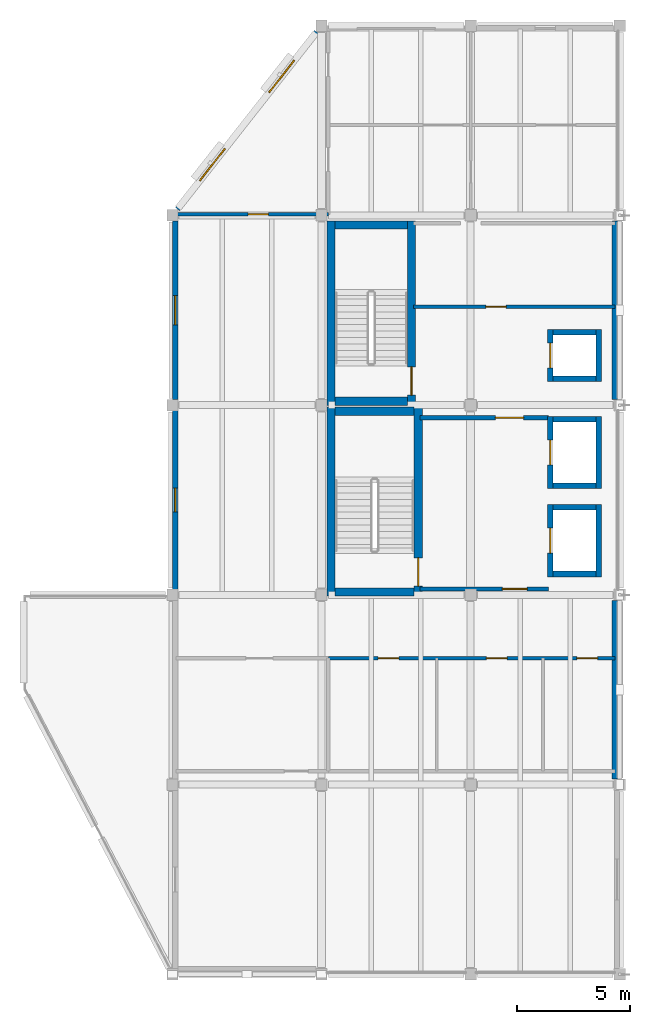
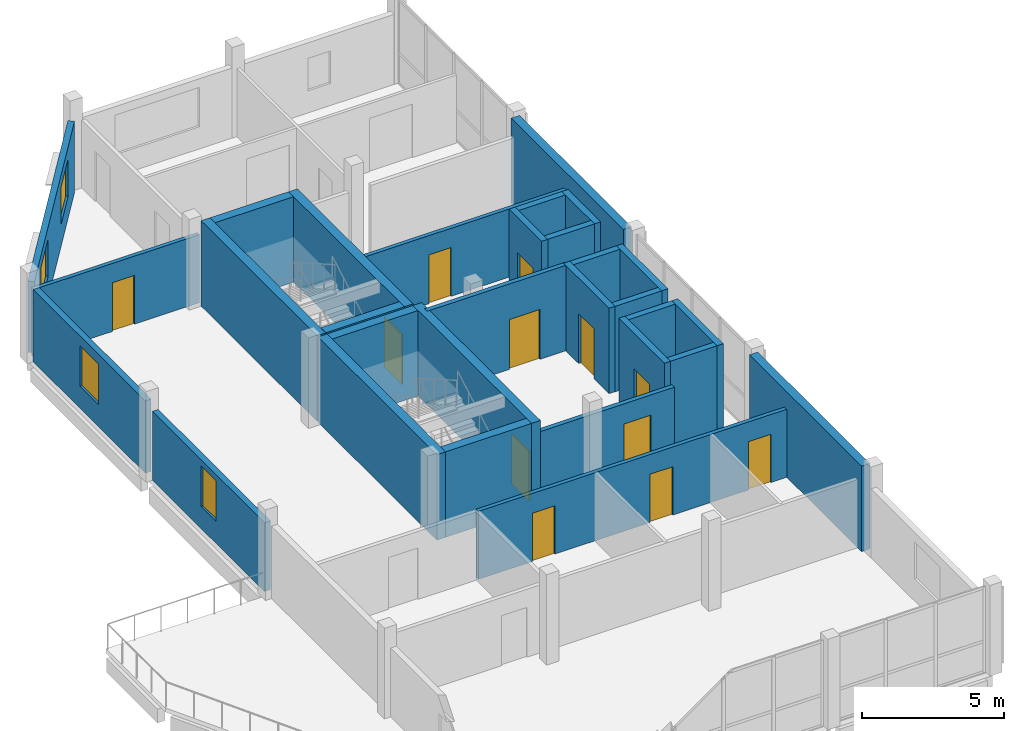
# One storey, part 5 of 9: 30 walls, 12 doors, 4 windows, 16 openings.
"""IFC4 building model written with IfcOpenShell, lengths in metres."""

from ifc_helpers import new_model, si_unit, direction, frame, frame_2d, origin, place, context, subcontext, project, spatial, rectangle, extrude, material, layer, layer_set, type_object, element, fill, save


model = new_model("IFC4")

# Units and contexts
model_context = context("Model", 3, precision=1e-05, world=origin(), true_north=direction((0.0, 1.0)))
body_context = subcontext(model_context, "Body", "Model", "MODEL_VIEW")
ifc_project = project(units=[si_unit("LENGTHUNIT", "METRE"), si_unit("AREAUNIT", "SQUARE_METRE"), si_unit("VOLUMEUNIT", "CUBIC_METRE"), si_unit("PLANEANGLEUNIT", "RADIAN"), si_unit("MASSUNIT", "GRAM", prefix="KILO")], contexts=[model_context])

# Site, building, storey
site_placement = place(None, origin())
site = spatial("IfcSite", under=ifc_project, at=site_placement, CompositionType="ELEMENT")
building_placement = place(site_placement, origin())
building = spatial("IfcBuilding", under=site, at=building_placement, Name="Qaldarim Faculty of Natural and Applied Sciences", CompositionType="ELEMENT")
storey_placement = place(building_placement, frame((0.0, 0.0, 43.199951171875)))
storey = spatial("IfcBuildingStorey", under=building, at=storey_placement, Name="L10", CompositionType="ELEMENT", Elevation=43.199951171875)

# Wall
ifc_material_1 = material(Name="Concrete C50/60", Category="concrete")
ifc_layer_1 = layer(ifc_material_1, 0.360107421875)
ifc_layer_set_1 = layer_set([ifc_layer_1], Name="Concrete C50/60")
wall_type_1 = type_object("IfcWallType", Name="CoreShearWall-360", PredefinedType="SHEAR", material=ifc_layer_set_1)
wall_1_placement = place(storey_placement, frame((165.419921875, 16.739990234375, 0.0), z_axis=(0.0, 0.0, 1.0), x_axis=(0.0, 1.0, 0.0)))
element("IfcWall", 1, at=wall_1_placement, inside=storey, type_object=wall_type_1, Name="Core stair ST-A1 west shear wall L10", PredefinedType="SHEAR", context=body_context, shape_type="SweptSolid", body=[
    extrude(rectangle(XDim=8.3701171875, YDim=0.360107421875, at=frame_2d((4.18505859375, 0.0))), origin(), (0.0, 0.0, 1.0), 3.679931640625),
])

# Wall, opening, door
wall_2_placement = place(storey_placement, frame((169.280029296875, 16.739990234375, 0.0), z_axis=(0.0, 0.0, 1.0), x_axis=(0.0, 1.0, 0.0)))
wall_2 = element("IfcWall", 2, at=wall_2_placement, inside=storey, type_object=wall_type_1, Name="Core stair ST-A1 east shear wall L10", PredefinedType="SHEAR", context=body_context, shape_type="SweptSolid", body=[
    extrude(rectangle(XDim=8.3701171875, YDim=0.360107421875, at=frame_2d((4.18505859375, 0.0))), origin(), (0.0, 0.0, 1.0), 3.679931640625),
])
opening_1_placement = place(wall_2_placement, frame((0.449951171875, 0.0, 0.0)))
opening_1 = element("IfcOpeningElement", 3, at=opening_1_placement, cuts=wall_2, Name="Opening ID04", PredefinedType="OPENING", context=body_context, shape_type="SweptSolid", body=[
    extrude(rectangle(XDim=1.25, YDim=2.14990234375, at=frame_2d((0.625, 1.074951171875))), frame((0.0, 0.18994140625, 0.0), z_axis=(0.0, -1.0, 0.0), x_axis=(1.0, 0.0, 0.0)), (0.0, 0.0, 1.0), 0.380126953125),
])
ifc_material_2 = material(Name="Architectural stainless steel 316", Category="steel")
door_type_1 = type_object("IfcDoorType", Name="StairEnclosureFireDoor-1250x2150", OperationType="NOTDEFINED", PredefinedType="DOOR", material=ifc_material_2)
door_1_placement = place(opening_1_placement, origin())
door_1 = element("IfcDoor", 4, at=door_1_placement, inside=storey, type_object=door_type_1, Name="Protected stair ST-A1 fire door D-L10-512", OperationType="SINGLE_SWING_RIGHT", OverallHeight=2.14990234375, OverallWidth=1.25, PredefinedType="DOOR", context=body_context, shape_type="SweptSolid", body=[
    extrude(rectangle(XDim=1.25, YDim=2.14990234375, at=frame_2d((0.625, 1.074951171875))), frame((0.0, 0.02490234375, 0.0), z_axis=(0.0, -1.0, 0.0), x_axis=(1.0, 0.0, 0.0)), (0.0, 0.0, 1.0), 0.050048828125),
])
fill(opening_1, door_1)

# Walls
for number, where, z_axis, x_axis, name in (
    (5, (165.60009765625, 24.929931640625, 0.0), (0.0, 0.0, 1.0), (1.0, 0.0, 0.0), "Core stair ST-A1 north shear wall L10"),
    (6, (165.60009765625, 16.919921875, 0.0), (0.0, 0.0, 1.0), (1.0, 0.0, 0.0), "Core stair ST-A1 south shear wall L10"),
):
    element("IfcWall", number, at=place(storey_placement, frame(where, z_axis=z_axis, x_axis=x_axis)), inside=storey, type_object=wall_type_1, Name=name, PredefinedType="SHEAR", context=body_context, shape_type="SweptSolid", body=[
        extrude(rectangle(XDim=3.5, YDim=0.360107421875, at=frame_2d((1.75, 0.0))), origin(), (0.0, 0.0, 1.0), 3.679931640625),
    ])
wall_3_placement = place(storey_placement, frame((165.419921875, 25.18994140625, 0.0), z_axis=(0.0, 0.0, 1.0), x_axis=(0.0, 1.0, 0.0)))
element("IfcWall", 7, at=wall_3_placement, inside=storey, type_object=wall_type_1, Name="Core stair ST-A2 west shear wall L10", PredefinedType="SHEAR", context=body_context, shape_type="SweptSolid", body=[
    extrude(rectangle(XDim=8.170166015625, YDim=0.360107421875, at=frame_2d((4.0849609375, 0.0))), origin(), (0.0, 0.0, 1.0), 3.679931640625),
])

# Wall, opening, door
wall_4_placement = place(storey_placement, frame((168.97998046875, 25.18994140625, 0.0), z_axis=(0.0, 0.0, 1.0), x_axis=(0.0, 1.0, 0.0)))
wall_4 = element("IfcWall", 8, at=wall_4_placement, inside=storey, type_object=wall_type_1, Name="Core stair ST-A2 east shear wall L10", PredefinedType="SHEAR", context=body_context, shape_type="SweptSolid", body=[
    extrude(rectangle(XDim=8.170166015625, YDim=0.360107421875, at=frame_2d((4.0849609375, 0.0))), origin(), (0.0, 0.0, 1.0), 3.679931640625),
])
opening_2_placement = place(wall_4_placement, frame((0.449951171875, 0.0, 0.0)))
opening_2 = element("IfcOpeningElement", 9, at=opening_2_placement, cuts=wall_4, Name="Opening ID04", PredefinedType="OPENING", context=body_context, shape_type="SweptSolid", body=[
    extrude(rectangle(XDim=1.25, YDim=2.14990234375, at=frame_2d((0.625, 1.074951171875))), frame((0.0, 0.18994140625, 0.0), z_axis=(0.0, -1.0, 0.0), x_axis=(1.0, 0.0, 0.0)), (0.0, 0.0, 1.0), 0.380126953125),
])
door_2_placement = place(opening_2_placement, origin())
door_2 = element("IfcDoor", 10, at=door_2_placement, inside=storey, type_object=door_type_1, Name="Protected stair ST-A2 fire door D-L10-524", OperationType="SINGLE_SWING_RIGHT", OverallHeight=2.14990234375, OverallWidth=1.25, PredefinedType="DOOR", context=body_context, shape_type="SweptSolid", body=[
    extrude(rectangle(XDim=1.25, YDim=2.14990234375, at=frame_2d((0.625, 1.074951171875))), frame((0.0, 0.02490234375, 0.0), z_axis=(0.0, -1.0, 0.0), x_axis=(1.0, 0.0, 0.0)), (0.0, 0.0, 1.0), 0.050048828125),
])
fill(opening_2, door_2)

# Walls
for number, where, z_axis, x_axis, name in (
    (11, (165.60009765625, 33.179931640625, 0.0), (0.0, 0.0, 1.0), (1.0, 0.0, 0.0), "Core stair ST-A2 north shear wall L10"),
    (12, (165.60009765625, 25.3701171875, 0.0), (0.0, 0.0, 1.0), (1.0, 0.0, 0.0), "Core stair ST-A2 south shear wall L10"),
):
    element("IfcWall", number, at=place(storey_placement, frame(where, z_axis=z_axis, x_axis=x_axis)), inside=storey, type_object=wall_type_1, Name=name, PredefinedType="SHEAR", context=body_context, shape_type="SweptSolid", body=[
        extrude(rectangle(XDim=3.199951171875, YDim=0.360107421875, at=frame_2d((1.60009765625, 0.0))), origin(), (0.0, 0.0, 1.0), 3.679931640625),
    ])

# Wall, opening, window
ifc_material_3 = material(Name="Precast concrete C40/50", Category="concrete")
ifc_layer_2 = layer(ifc_material_3, 0.239990234375)
ifc_layer_set_2 = layer_set([ifc_layer_2], Name="Precast concrete C40/50")
wall_type_2 = type_object("IfcWallType", Name="ExteriorInsulatedWall-240", PredefinedType="SOLIDWALL", material=ifc_layer_set_2)
wall_5_placement = place(storey_placement, frame((158.52001953125, 24.955078125, 0.0), z_axis=(0.0, 0.0, 1.0), x_axis=(0.0, -1.0, 0.0)))
wall_5 = element("IfcWall", 13, at=wall_5_placement, inside=storey, type_object=wall_type_2, Name="Exterior wall EW03 L10 W X25Y03", PredefinedType="SOLIDWALL", context=body_context, shape_type="SweptSolid", body=[
    extrude(rectangle(XDim=7.91015625, YDim=0.239990234375, at=frame_2d((3.955078125, 0.0))), origin(), (0.0, 0.0, 1.0), 2.965087890625),
])
opening_3_placement = place(wall_5_placement, frame((3.429931640625, 0.0, 0.949951171875)))
opening_3 = element("IfcOpeningElement", 14, at=opening_3_placement, cuts=wall_5, Name="Opening WN17", PredefinedType="OPENING", context=body_context, shape_type="SweptSolid", body=[
    extrude(rectangle(XDim=1.050048828125, YDim=1.75, at=frame_2d((0.52490234375, 0.875))), frame((0.0, 0.1298828125, 0.0), z_axis=(0.0, -1.0, 0.0), x_axis=(1.0, 0.0, 0.0)), (0.0, 0.0, 1.0), 0.260009765625),
])
ifc_material_4 = material(Name="Insulated low-e double glazing", Category="glass")
window_type_1 = type_object("IfcWindowType", Name="StudyWindow-1050x1750", PartitioningType="SINGLE_PANEL", PredefinedType="WINDOW", material=ifc_material_4)
window_1_placement = place(opening_3_placement, origin())
window_1 = element("IfcWindow", 15, at=window_1_placement, inside=storey, type_object=window_type_1, Name="Facade window WN17 L10 W X25Y03", OverallHeight=1.75, OverallWidth=1.050048828125, PartitioningType="SINGLE_PANEL", PredefinedType="WINDOW", context=body_context, shape_type="SweptSolid", body=[
    extrude(rectangle(XDim=1.050048828125, YDim=1.75, at=frame_2d((0.52490234375, 0.875))), frame((0.0, 0.030029296875, 0.0), z_axis=(0.0, -1.0, 0.0), x_axis=(1.0, 0.0, 0.0)), (0.0, 0.0, 1.0), 0.06005859375),
])
fill(opening_3, window_1)

wall_6_placement = place(storey_placement, frame((158.52001953125, 33.35498046875, 0.0), z_axis=(0.0, 0.0, 1.0), x_axis=(0.0, -1.0, 0.0)))
wall_6 = element("IfcWall", 16, at=wall_6_placement, inside=storey, type_object=wall_type_2, Name="Exterior wall EW03 L10 W X25Y04", PredefinedType="SOLIDWALL", context=body_context, shape_type="SweptSolid", body=[
    extrude(rectangle(XDim=7.909912109375, YDim=0.239990234375, at=frame_2d((3.955078125, 0.0))), origin(), (0.0, 0.0, 1.0), 3.114990234375),
])
opening_4_placement = place(wall_6_placement, frame((3.304931640625, 0.0, 0.949951171875)))
opening_4 = element("IfcOpeningElement", 17, at=opening_4_placement, cuts=wall_6, Name="Opening WN18", PredefinedType="OPENING", context=body_context, shape_type="SweptSolid", body=[
    extrude(rectangle(XDim=1.300048828125, YDim=1.75, at=frame_2d((0.64990234375, 0.875))), frame((0.0, 0.1298828125, 0.0), z_axis=(0.0, -1.0, 0.0), x_axis=(1.0, 0.0, 0.0)), (0.0, 0.0, 1.0), 0.260009765625),
])
window_type_2 = type_object("IfcWindowType", Name="StudyWindow-1300x1750", PartitioningType="SINGLE_PANEL", PredefinedType="WINDOW", material=ifc_material_4)
window_2_placement = place(opening_4_placement, origin())
window_2 = element("IfcWindow", 18, at=window_2_placement, inside=storey, type_object=window_type_2, Name="Facade window WN18 L10 W X25Y04", OverallHeight=1.75, OverallWidth=1.300048828125, PartitioningType="SINGLE_PANEL", PredefinedType="WINDOW", context=body_context, shape_type="SweptSolid", body=[
    extrude(rectangle(XDim=1.300048828125, YDim=1.75, at=frame_2d((0.64990234375, 0.875))), frame((0.0, 0.030029296875, 0.0), z_axis=(0.0, -1.0, 0.0), x_axis=(1.0, 0.0, 0.0)), (0.0, 0.0, 1.0), 0.06005859375),
])
fill(opening_4, window_2)

# Wall, openings, windows
wall_7_placement = place(storey_placement, frame((158.6201171875, 33.8798828125, 0.0), z_axis=(0.0, 0.0, 1.0), x_axis=(0.617811819191, 0.786325985878, 0.0)))
wall_7 = element("IfcWall", 19, at=wall_7_placement, inside=storey, type_object=wall_type_2, Name="Oblique NW chamfer fenestrated wall L10", PredefinedType="SOLIDWALL", context=body_context, shape_type="SweptSolid", body=[
    extrude(rectangle(XDim=9.970458984375, YDim=0.239990234375, at=frame_2d((4.9853515625, 0.0))), origin(), (0.0, 0.0, 1.0), 3.06494140625),
])
opening_5_placement = place(wall_7_placement, frame((1.60009765625, 0.0, 0.949951171875)))
opening_5 = element("IfcOpeningElement", 20, at=opening_5_placement, cuts=wall_7, Name="Opening WN02", PredefinedType="OPENING", context=body_context, shape_type="SweptSolid", body=[
    extrude(rectangle(XDim=1.800048828125, YDim=1.60009765625, at=frame_2d((0.89990234375, 0.800048828125))), frame((0.0, 0.1298828125, 0.0), z_axis=(0.0, -1.0, 0.0), x_axis=(1.0, 0.0, 0.0)), (0.0, 0.0, 1.0), 0.260009765625),
])
opening_6_placement = place(wall_7_placement, frame((6.570068359375, 0.0, 0.949951171875)))
opening_6 = element("IfcOpeningElement", 21, at=opening_6_placement, cuts=wall_7, Name="Opening WN02", PredefinedType="OPENING", context=body_context, shape_type="SweptSolid", body=[
    extrude(rectangle(XDim=1.800048828125, YDim=1.60009765625, at=frame_2d((0.89990234375, 0.800048828125))), frame((0.0, 0.1298828125, 0.0), z_axis=(0.0, -1.0, 0.0), x_axis=(1.0, 0.0, 0.0)), (0.0, 0.0, 1.0), 0.260009765625),
])
window_type_3 = type_object("IfcWindowType", Name="Window-1800x1600", PartitioningType="DOUBLE_PANEL_VERTICAL", PredefinedType="WINDOW", material=ifc_material_4)
window_3_placement = place(opening_5_placement, origin())
window_3 = element("IfcWindow", 22, at=window_3_placement, inside=storey, type_object=window_type_3, Name="Oblique NW stepped tier window L10 1", OverallHeight=1.60009765625, OverallWidth=1.800048828125, PartitioningType="SINGLE_PANEL", PredefinedType="WINDOW", context=body_context, shape_type="SweptSolid", body=[
    extrude(rectangle(XDim=1.800048828125, YDim=1.60009765625, at=frame_2d((0.89990234375, 0.800048828125))), frame((0.0, 0.030029296875, 0.0), z_axis=(0.0, -1.0, 0.0), x_axis=(1.0, 0.0, 0.0)), (0.0, 0.0, 1.0), 0.06005859375),
])
fill(opening_5, window_3)
window_4_placement = place(opening_6_placement, origin())
window_4 = element("IfcWindow", 23, at=window_4_placement, inside=storey, type_object=window_type_3, Name="Oblique NW stepped tier window L10 2", OverallHeight=1.60009765625, OverallWidth=1.800048828125, PartitioningType="SINGLE_PANEL", PredefinedType="WINDOW", context=body_context, shape_type="SweptSolid", body=[
    extrude(rectangle(XDim=1.800048828125, YDim=1.60009765625, at=frame_2d((0.89990234375, 0.800048828125))), frame((0.0, 0.030029296875, 0.0), z_axis=(0.0, -1.0, 0.0), x_axis=(1.0, 0.0, 0.0)), (0.0, 0.0, 1.0), 0.06005859375),
])
fill(opening_6, window_4)

# Walls
ifc_layer_3 = layer(ifc_material_1, 0.340087890625)
ifc_layer_set_3 = layer_set([ifc_layer_3], Name="Concrete C50/60")
wall_type_3 = type_object("IfcWallType", Name="ExteriorStairShearWall-340", PredefinedType="SHEAR", material=ifc_layer_set_3)
for number, where, z_axis, x_axis, name in (
    (24, (178.030029296875, 8.64501953125, 0.0), (0.0, 0.0, 1.0), (0.0, 1.0, 0.0), "Exterior wall EW05 L10 E X27Y02"),
    (25, (178.030029296875, 25.445068359375, 0.0), (0.0, 0.0, 1.0), (0.0, 1.0, 0.0), "Exterior wall EW05 L10 E X27Y04"),
):
    element("IfcWall", number, at=place(storey_placement, frame(where, z_axis=z_axis, x_axis=x_axis)), inside=storey, type_object=wall_type_3, Name=name, PredefinedType="SHEAR", context=body_context, shape_type="SweptSolid", body=[
        extrude(rectangle(XDim=7.909912109375, YDim=0.340087890625, at=frame_2d((3.955078125, 0.0))), origin(), (0.0, 0.0, 1.0), 3.679931640625),
    ])

# Wall, openings, doors
ifc_material_5 = material(Name="Concrete C40/50", Category="concrete")
ifc_layer_4 = layer(ifc_material_5, 0.159912109375)
ifc_layer_set_4 = layer_set([ifc_layer_4], Name="Concrete C40/50")
wall_type_4 = type_object("IfcWallType", Name="FireCorridorWall-160", PredefinedType="PARTITIONING", material=ifc_layer_set_4)
wall_8_placement = place(storey_placement, frame((165.300048828125, 14.0, 0.0), z_axis=(0.0, 0.0, 1.0), x_axis=(1.0, 0.0, 0.0)))
wall_8 = element("IfcWall", 26, at=wall_8_placement, inside=storey, type_object=wall_type_4, Name="Interior partition PRT-L10-V5-WCN", PredefinedType="PARTITIONING", context=body_context, shape_type="SweptSolid", body=[
    extrude(rectangle(XDim=12.699951171875, YDim=0.159912109375, at=frame_2d((6.35009765625, 0.0))), origin(), (0.0, 0.0, 1.0), 2.929931640625),
])
opening_7_placement = place(wall_8_placement, frame((2.199951171875, 0.0, 0.0)))
opening_7 = element("IfcOpeningElement", 27, at=opening_7_placement, cuts=wall_8, Name="Opening ID14", PredefinedType="OPENING", context=body_context, shape_type="SweptSolid", body=[
    extrude(rectangle(XDim=0.919921875, YDim=2.080078125, at=frame_2d((0.4599609375, 1.0400390625))), frame((0.0, 0.08984375, 0.0), z_axis=(0.0, -1.0, 0.0), x_axis=(1.0, 0.0, 0.0)), (0.0, 0.0, 1.0), 0.179931640625),
])
opening_8_placement = place(wall_8_placement, frame((7.0, 0.0, 0.0)))
opening_8 = element("IfcOpeningElement", 28, at=opening_8_placement, cuts=wall_8, Name="Opening ID14", PredefinedType="OPENING", context=body_context, shape_type="SweptSolid", body=[
    extrude(rectangle(XDim=0.919921875, YDim=2.080078125, at=frame_2d((0.4599609375, 1.0400390625))), frame((0.0, 0.08984375, 0.0), z_axis=(0.0, -1.0, 0.0), x_axis=(1.0, 0.0, 0.0)), (0.0, 0.0, 1.0), 0.179931640625),
])
opening_9_placement = place(wall_8_placement, frame((11.0, 0.0, 0.0)))
opening_9 = element("IfcOpeningElement", 29, at=opening_9_placement, cuts=wall_8, Name="Opening ID14", PredefinedType="OPENING", context=body_context, shape_type="SweptSolid", body=[
    extrude(rectangle(XDim=0.919921875, YDim=2.080078125, at=frame_2d((0.4599609375, 1.0400390625))), frame((0.0, 0.08984375, 0.0), z_axis=(0.0, -1.0, 0.0), x_axis=(1.0, 0.0, 0.0)), (0.0, 0.0, 1.0), 0.179931640625),
])
ifc_material_6 = material(Name="Oak hardwood", Category="wood")
door_type_2 = type_object("IfcDoorType", Name="WashroomDoor-920x2080", OperationType="NOTDEFINED", PredefinedType="DOOR", material=ifc_material_6)
door_3_placement = place(opening_7_placement, origin())
door_3 = element("IfcDoor", 30, at=door_3_placement, inside=storey, type_object=door_type_2, Name="Interior door D-L10-134", OperationType="SINGLE_SWING_LEFT", OverallHeight=2.080078125, OverallWidth=0.919921875, PredefinedType="DOOR", context=body_context, shape_type="SweptSolid", body=[
    extrude(rectangle(XDim=0.919921875, YDim=2.080078125, at=frame_2d((0.4599609375, 1.0400390625))), frame((0.0, 0.02490234375, 0.0), z_axis=(0.0, -1.0, 0.0), x_axis=(1.0, 0.0, 0.0)), (0.0, 0.0, 1.0), 0.050048828125),
])
fill(opening_7, door_3)
door_4_placement = place(opening_8_placement, origin())
door_4 = element("IfcDoor", 31, at=door_4_placement, inside=storey, type_object=door_type_2, Name="Interior door D-L10-135", OperationType="SINGLE_SWING_RIGHT", OverallHeight=2.080078125, OverallWidth=0.919921875, PredefinedType="DOOR", context=body_context, shape_type="SweptSolid", body=[
    extrude(rectangle(XDim=0.919921875, YDim=2.080078125, at=frame_2d((0.4599609375, 1.0400390625))), frame((0.0, 0.02490234375, 0.0), z_axis=(0.0, -1.0, 0.0), x_axis=(1.0, 0.0, 0.0)), (0.0, 0.0, 1.0), 0.050048828125),
])
fill(opening_8, door_4)
door_5_placement = place(opening_9_placement, origin())
door_5 = element("IfcDoor", 32, at=door_5_placement, inside=storey, type_object=door_type_2, Name="Interior door D-L10-136", OperationType="SINGLE_SWING_LEFT", OverallHeight=2.080078125, OverallWidth=0.919921875, PredefinedType="DOOR", context=body_context, shape_type="SweptSolid", body=[
    extrude(rectangle(XDim=0.919921875, YDim=2.080078125, at=frame_2d((0.4599609375, 1.0400390625))), frame((0.0, 0.02490234375, 0.0), z_axis=(0.0, -1.0, 0.0), x_axis=(1.0, 0.0, 0.0)), (0.0, 0.0, 1.0), 0.050048828125),
])
fill(opening_9, door_5)

# Wall, opening, door
wall_9_placement = place(storey_placement, frame((158.550048828125, 33.64990234375, 0.0), z_axis=(0.0, 0.0, 1.0), x_axis=(1.0, 0.0, 0.0)))
wall_9 = element("IfcWall", 33, at=wall_9_placement, inside=storey, type_object=wall_type_4, Name="Interior partition PRT-L10-U-FELS", PredefinedType="PARTITIONING", context=body_context, shape_type="SweptSolid", body=[
    extrude(rectangle(XDim=6.75, YDim=0.159912109375, at=frame_2d((3.375, 0.0))), origin(), (0.0, 0.0, 1.0), 2.929931640625),
])
opening_10_placement = place(wall_9_placement, frame((3.199951171875, 0.0, 0.0)))
opening_10 = element("IfcOpeningElement", 34, at=opening_10_placement, cuts=wall_9, Name="Opening ID07", PredefinedType="OPENING", context=body_context, shape_type="SweptSolid", body=[
    extrude(rectangle(XDim=0.89990234375, YDim=2.10009765625, at=frame_2d((0.449951171875, 1.050048828125))), frame((0.0, 0.08984375, 0.0), z_axis=(0.0, -1.0, 0.0), x_axis=(1.0, 0.0, 0.0)), (0.0, 0.0, 1.0), 0.179931640625),
])
door_type_3 = type_object("IfcDoorType", Name="OfficeStudyDoor-900x2100", OperationType="NOTDEFINED", PredefinedType="DOOR", material=ifc_material_6)
door_6_placement = place(opening_10_placement, origin())
door_6 = element("IfcDoor", 35, at=door_6_placement, inside=storey, type_object=door_type_3, Name="Interior door D-L10-289", OperationType="SINGLE_SWING_LEFT", OverallHeight=2.10009765625, OverallWidth=0.89990234375, PredefinedType="DOOR", context=body_context, shape_type="SweptSolid", body=[
    extrude(rectangle(XDim=0.89990234375, YDim=2.10009765625, at=frame_2d((0.449951171875, 1.050048828125))), frame((0.0, 0.02490234375, 0.0), z_axis=(0.0, -1.0, 0.0), x_axis=(1.0, 0.0, 0.0)), (0.0, 0.0, 1.0), 0.050048828125),
])
fill(opening_10, door_6)

wall_10_placement = place(storey_placement, frame((169.070068359375, 29.550048828125, 0.0), z_axis=(0.0, 0.0, 1.0), x_axis=(1.0, 0.0, 0.0)))
wall_10 = element("IfcWall", 36, at=wall_10_placement, inside=storey, type_object=wall_type_4, Name="Interior partition PRT-L10-V5-NES", PredefinedType="PARTITIONING", context=body_context, shape_type="SweptSolid", body=[
    extrude(rectangle(XDim=8.929931640625, YDim=0.159912109375, at=frame_2d((4.46484375, 0.0))), origin(), (0.0, 0.0, 1.0), 2.929931640625),
])
opening_11_placement = place(wall_10_placement, frame((3.199951171875, 0.0, 0.0)))
opening_11 = element("IfcOpeningElement", 37, at=opening_11_placement, cuts=wall_10, Name="Opening ID07", PredefinedType="OPENING", context=body_context, shape_type="SweptSolid", body=[
    extrude(rectangle(XDim=0.89990234375, YDim=2.10009765625, at=frame_2d((0.449951171875, 1.050048828125))), frame((0.0, 0.08984375, 0.0), z_axis=(0.0, -1.0, 0.0), x_axis=(1.0, 0.0, 0.0)), (0.0, 0.0, 1.0), 0.179931640625),
])
door_7_placement = place(opening_11_placement, origin())
door_7 = element("IfcDoor", 38, at=door_7_placement, inside=storey, type_object=door_type_3, Name="Interior door D-L10-430", OperationType="SINGLE_SWING_LEFT", OverallHeight=2.10009765625, OverallWidth=0.89990234375, PredefinedType="DOOR", context=body_context, shape_type="SweptSolid", body=[
    extrude(rectangle(XDim=0.89990234375, YDim=2.10009765625, at=frame_2d((0.449951171875, 1.050048828125))), frame((0.0, 0.02490234375, 0.0), z_axis=(0.0, -1.0, 0.0), x_axis=(1.0, 0.0, 0.0)), (0.0, 0.0, 1.0), 0.050048828125),
])
fill(opening_11, door_7)

ifc_layer_5 = layer(ifc_material_5, 0.179931640625)
ifc_layer_set_5 = layer_set([ifc_layer_5], Name="Concrete C40/50")
wall_type_5 = type_object("IfcWallType", Name="LabFireCompartmentWall-180", PredefinedType="SOLIDWALL", material=ifc_layer_set_5)
wall_11_placement = place(storey_placement, frame((169.35009765625, 24.639892578125, 0.0), z_axis=(0.0, 0.0, 1.0), x_axis=(1.0, 0.0, 0.0)))
wall_11 = element("IfcWall", 39, at=wall_11_placement, inside=storey, type_object=wall_type_5, Name="Fire-fighting lobby compartment wall Core A L10", PredefinedType="SOLIDWALL", context=body_context, shape_type="SweptSolid", body=[
    extrude(rectangle(XDim=5.699951171875, YDim=0.179931640625, at=frame_2d((2.85009765625, 0.0))), origin(), (0.0, 0.0, 1.0), 3.679931640625),
])
opening_12_placement = place(wall_11_placement, frame((3.35009765625, 0.0, 0.0)))
opening_12 = element("IfcOpeningElement", 40, at=opening_12_placement, cuts=wall_11, Name="Opening ID04", PredefinedType="OPENING", context=body_context, shape_type="SweptSolid", body=[
    extrude(rectangle(XDim=1.25, YDim=2.14990234375, at=frame_2d((0.625, 1.074951171875))), frame((0.0, 0.099853515625, 0.0), z_axis=(0.0, -1.0, 0.0), x_axis=(1.0, 0.0, 0.0)), (0.0, 0.0, 1.0), 0.199951171875),
])
door_8_placement = place(opening_12_placement, frame((1.25, 0.0, 0.0), z_axis=(0.0, 0.0, 1.0), x_axis=(-1.0, 0.0, 0.0)))
door_8 = element("IfcDoor", 41, at=door_8_placement, inside=storey, type_object=door_type_1, Name="Fire-fighting lobby door Core A D-L10-618", OperationType="SINGLE_SWING_RIGHT", OverallHeight=2.14990234375, OverallWidth=1.25, PredefinedType="DOOR", context=body_context, shape_type="SweptSolid", body=[
    extrude(rectangle(XDim=1.25, YDim=2.14990234375, at=frame_2d((0.625, 1.074951171875))), frame((0.0, 0.02490234375, 0.0), z_axis=(0.0, -1.0, 0.0), x_axis=(1.0, 0.0, 0.0)), (0.0, 0.0, 1.0), 0.050048828125),
])
fill(opening_12, door_8)

wall_12_placement = place(storey_placement, frame((169.35009765625, 17.06005859375, 0.0), z_axis=(0.0, 0.0, 1.0), x_axis=(1.0, 0.0, 0.0)))
wall_12 = element("IfcWall", 42, at=wall_12_placement, inside=storey, type_object=wall_type_5, Name="Fire-fighting lobby south wall Core A L10", PredefinedType="SOLIDWALL", context=body_context, shape_type="SweptSolid", body=[
    extrude(rectangle(XDim=5.699951171875, YDim=0.179931640625, at=frame_2d((2.85009765625, 0.0))), origin(), (0.0, 0.0, 1.0), 3.01513671875),
])
opening_13_placement = place(wall_12_placement, frame((3.64990234375, 0.0, 0.0)))
opening_13 = element("IfcOpeningElement", 43, at=opening_13_placement, cuts=wall_12, Name="Opening ID03", PredefinedType="OPENING", context=body_context, shape_type="SweptSolid", body=[
    extrude(rectangle(XDim=1.10009765625, YDim=2.14990234375, at=frame_2d((0.550048828125, 1.074951171875))), frame((0.0, 0.099853515625, 0.0), z_axis=(0.0, -1.0, 0.0), x_axis=(1.0, 0.0, 0.0)), (0.0, 0.0, 1.0), 0.199951171875),
])
door_type_4 = type_object("IfcDoorType", Name="FireLobbyDoor-1100x2150", OperationType="NOTDEFINED", PredefinedType="DOOR", material=ifc_material_6)
door_9_placement = place(opening_13_placement, origin())
door_9 = element("IfcDoor", 44, at=door_9_placement, inside=storey, type_object=door_type_4, Name="Fire-fighting lobby corridor door Core A D-L10-619", OperationType="SINGLE_SWING_LEFT", OverallHeight=2.14990234375, OverallWidth=1.10009765625, PredefinedType="DOOR", context=body_context, shape_type="SweptSolid", body=[
    extrude(rectangle(XDim=1.10009765625, YDim=2.14990234375, at=frame_2d((0.550048828125, 1.074951171875))), frame((0.0, 0.02490234375, 0.0), z_axis=(0.0, -1.0, 0.0), x_axis=(1.0, 0.0, 0.0)), (0.0, 0.0, 1.0), 0.050048828125),
])
fill(opening_13, door_9)

ifc_layer_6 = layer(ifc_material_5, 0.25)
ifc_layer_set_6 = layer_set([ifc_layer_6], Name="Concrete C40/50")
wall_type_6 = type_object("IfcWallType", Name="LiftShaftWall-250", PredefinedType="SHEAR", material=ifc_layer_set_6)
wall_13_placement = place(storey_placement, frame((175.125, 17.60009765625, 0.0), z_axis=(0.0, 0.0, 1.0), x_axis=(0.0, 1.0, 0.0)))
wall_13 = element("IfcWall", 45, at=wall_13_placement, inside=storey, type_object=wall_type_6, Name="Lift LF-A1 front shaft wall L10", PredefinedType="SHEAR", context=body_context, shape_type="SweptSolid", body=[
    extrude(rectangle(XDim=3.199951171875, YDim=0.25, at=frame_2d((1.60009765625, 0.0))), origin(), (0.0, 0.0, 1.0), 3.679931640625),
])
opening_14_placement = place(wall_13_placement, frame((1.050048828125, 0.0, 0.0)))
opening_14 = element("IfcOpeningElement", 46, at=opening_14_placement, cuts=wall_13, Name="Opening LD01", PredefinedType="OPENING", context=body_context, shape_type="SweptSolid", body=[
    extrude(rectangle(XDim=1.10009765625, YDim=2.14990234375, at=frame_2d((0.550048828125, 1.074951171875))), frame((0.0, 0.135009765625, 0.0), z_axis=(0.0, -1.0, 0.0), x_axis=(1.0, 0.0, 0.0)), (0.0, 0.0, 1.0), 0.27001953125),
])
door_type_5 = type_object("IfcDoorType", Name="LiftLandingSlidingDoor-1100x2150", OperationType="NOTDEFINED", PredefinedType="DOOR", material=ifc_material_2)
door_10_placement = place(opening_14_placement, origin())
door_10 = element("IfcDoor", 47, at=door_10_placement, inside=storey, type_object=door_type_5, Name="Lift landing sliding door LF-A1 D-L10-568", OperationType="SLIDING_TO_LEFT", OverallHeight=2.14990234375, OverallWidth=1.10009765625, PredefinedType="DOOR", context=body_context, shape_type="SweptSolid", body=[
    extrude(rectangle(XDim=1.10009765625, YDim=2.14990234375, at=frame_2d((0.550048828125, 1.074951171875))), frame((0.0, 0.02490234375, 0.0), z_axis=(0.0, -1.0, 0.0), x_axis=(1.0, 0.0, 0.0)), (0.0, 0.0, 1.0), 0.050048828125),
])
fill(opening_14, door_10)

# Walls
wall_14_placement = place(storey_placement, frame((177.27490234375, 17.60009765625, 0.0), z_axis=(0.0, 0.0, 1.0), x_axis=(0.0, 1.0, 0.0)))
element("IfcWall", 48, at=wall_14_placement, inside=storey, type_object=wall_type_6, Name="Lift LF-A1 rear shaft wall L10", PredefinedType="SHEAR", context=body_context, shape_type="SweptSolid", body=[
    extrude(rectangle(XDim=3.199951171875, YDim=0.25, at=frame_2d((1.60009765625, 0.0))), origin(), (0.0, 0.0, 1.0), 3.679931640625),
])
for number, where, z_axis, x_axis, name in (
    (49, (175.25, 17.72509765625, 0.0), (0.0, 0.0, 1.0), (1.0, 0.0, 0.0), "Lift LF-A1 south shaft wall L10"),
    (50, (175.25, 20.675048828125, 0.0), (0.0, 0.0, 1.0), (1.0, 0.0, 0.0), "Lift LF-A1 north shaft wall L10"),
):
    element("IfcWall", number, at=place(storey_placement, frame(where, z_axis=z_axis, x_axis=x_axis)), inside=storey, type_object=wall_type_6, Name=name, PredefinedType="SHEAR", context=body_context, shape_type="SweptSolid", body=[
        extrude(rectangle(XDim=1.89990234375, YDim=0.25, at=frame_2d((0.949951171875, 0.0))), origin(), (0.0, 0.0, 1.0), 3.679931640625),
    ])

# Wall, opening, door
wall_15_placement = place(storey_placement, frame((175.125, 21.5, 0.0), z_axis=(0.0, 0.0, 1.0), x_axis=(0.0, 1.0, 0.0)))
wall_15 = element("IfcWall", 51, at=wall_15_placement, inside=storey, type_object=wall_type_6, Name="Lift LF-A2 front shaft wall L10", PredefinedType="SHEAR", context=body_context, shape_type="SweptSolid", body=[
    extrude(rectangle(XDim=3.199951171875, YDim=0.25, at=frame_2d((1.60009765625, 0.0))), origin(), (0.0, 0.0, 1.0), 3.679931640625),
])
opening_15_placement = place(wall_15_placement, frame((1.050048828125, 0.0, 0.0)))
opening_15 = element("IfcOpeningElement", 52, at=opening_15_placement, cuts=wall_15, Name="Opening LD01", PredefinedType="OPENING", context=body_context, shape_type="SweptSolid", body=[
    extrude(rectangle(XDim=1.10009765625, YDim=2.14990234375, at=frame_2d((0.550048828125, 1.074951171875))), frame((0.0, 0.135009765625, 0.0), z_axis=(0.0, -1.0, 0.0), x_axis=(1.0, 0.0, 0.0)), (0.0, 0.0, 1.0), 0.27001953125),
])
door_11_placement = place(opening_15_placement, origin())
door_11 = element("IfcDoor", 53, at=door_11_placement, inside=storey, type_object=door_type_5, Name="Lift landing sliding door LF-A2 D-L10-581", OperationType="SLIDING_TO_LEFT", OverallHeight=2.14990234375, OverallWidth=1.10009765625, PredefinedType="DOOR", context=body_context, shape_type="SweptSolid", body=[
    extrude(rectangle(XDim=1.10009765625, YDim=2.14990234375, at=frame_2d((0.550048828125, 1.074951171875))), frame((0.0, 0.02490234375, 0.0), z_axis=(0.0, -1.0, 0.0), x_axis=(1.0, 0.0, 0.0)), (0.0, 0.0, 1.0), 0.050048828125),
])
fill(opening_15, door_11)

# Walls
wall_16_placement = place(storey_placement, frame((177.27490234375, 21.5, 0.0), z_axis=(0.0, 0.0, 1.0), x_axis=(0.0, 1.0, 0.0)))
element("IfcWall", 54, at=wall_16_placement, inside=storey, type_object=wall_type_6, Name="Lift LF-A2 rear shaft wall L10", PredefinedType="SHEAR", context=body_context, shape_type="SweptSolid", body=[
    extrude(rectangle(XDim=3.199951171875, YDim=0.25, at=frame_2d((1.60009765625, 0.0))), origin(), (0.0, 0.0, 1.0), 3.679931640625),
])
for number, where, z_axis, x_axis, name in (
    (55, (175.25, 21.625, 0.0), (0.0, 0.0, 1.0), (1.0, 0.0, 0.0), "Lift LF-A2 south shaft wall L10"),
    (56, (175.25, 24.574951171875, 0.0), (0.0, 0.0, 1.0), (1.0, 0.0, 0.0), "Lift LF-A2 north shaft wall L10"),
):
    element("IfcWall", number, at=place(storey_placement, frame(where, z_axis=z_axis, x_axis=x_axis)), inside=storey, type_object=wall_type_6, Name=name, PredefinedType="SHEAR", context=body_context, shape_type="SweptSolid", body=[
        extrude(rectangle(XDim=1.89990234375, YDim=0.25, at=frame_2d((0.949951171875, 0.0))), origin(), (0.0, 0.0, 1.0), 3.679931640625),
    ])

# Wall, opening, door
wall_17_placement = place(storey_placement, frame((175.125, 26.25, 0.0), z_axis=(0.0, 0.0, 1.0), x_axis=(0.0, 1.0, 0.0)))
wall_17 = element("IfcWall", 57, at=wall_17_placement, inside=storey, type_object=wall_type_6, Name="Lift LF-A3 front shaft wall L10", PredefinedType="SHEAR", context=body_context, shape_type="SweptSolid", body=[
    extrude(rectangle(XDim=2.300048828125, YDim=0.25, at=frame_2d((1.14990234375, 0.0))), origin(), (0.0, 0.0, 1.0), 3.679931640625),
])
opening_16_placement = place(wall_17_placement, frame((0.60009765625, 0.0, 0.0)))
opening_16 = element("IfcOpeningElement", 58, at=opening_16_placement, cuts=wall_17, Name="Opening LD01", PredefinedType="OPENING", context=body_context, shape_type="SweptSolid", body=[
    extrude(rectangle(XDim=1.10009765625, YDim=2.14990234375, at=frame_2d((0.550048828125, 1.074951171875))), frame((0.0, 0.135009765625, 0.0), z_axis=(0.0, -1.0, 0.0), x_axis=(1.0, 0.0, 0.0)), (0.0, 0.0, 1.0), 0.27001953125),
])
door_12_placement = place(opening_16_placement, origin())
door_12 = element("IfcDoor", 59, at=door_12_placement, inside=storey, type_object=door_type_5, Name="Lift landing sliding door LF-A3 D-L10-594", OperationType="SLIDING_TO_LEFT", OverallHeight=2.14990234375, OverallWidth=1.10009765625, PredefinedType="DOOR", context=body_context, shape_type="SweptSolid", body=[
    extrude(rectangle(XDim=1.10009765625, YDim=2.14990234375, at=frame_2d((0.550048828125, 1.074951171875))), frame((0.0, 0.02490234375, 0.0), z_axis=(0.0, -1.0, 0.0), x_axis=(1.0, 0.0, 0.0)), (0.0, 0.0, 1.0), 0.050048828125),
])
fill(opening_16, door_12)

# Walls
wall_18_placement = place(storey_placement, frame((177.27490234375, 26.25, 0.0), z_axis=(0.0, 0.0, 1.0), x_axis=(0.0, 1.0, 0.0)))
element("IfcWall", 60, at=wall_18_placement, inside=storey, type_object=wall_type_6, Name="Lift LF-A3 rear shaft wall L10", PredefinedType="SHEAR", context=body_context, shape_type="SweptSolid", body=[
    extrude(rectangle(XDim=2.300048828125, YDim=0.25, at=frame_2d((1.14990234375, 0.0))), origin(), (0.0, 0.0, 1.0), 3.679931640625),
])
for number, where, z_axis, x_axis, name in (
    (61, (175.25, 26.375, 0.0), (0.0, 0.0, 1.0), (1.0, 0.0, 0.0), "Lift LF-A3 south shaft wall L10"),
    (62, (175.25, 28.425048828125, 0.0), (0.0, 0.0, 1.0), (1.0, 0.0, 0.0), "Lift LF-A3 north shaft wall L10"),
):
    element("IfcWall", number, at=place(storey_placement, frame(where, z_axis=z_axis, x_axis=x_axis)), inside=storey, type_object=wall_type_6, Name=name, PredefinedType="SHEAR", context=body_context, shape_type="SweptSolid", body=[
        extrude(rectangle(XDim=1.89990234375, YDim=0.25, at=frame_2d((0.949951171875, 0.0))), origin(), (0.0, 0.0, 1.0), 3.679931640625),
    ])

save(model, "model.ifc")
